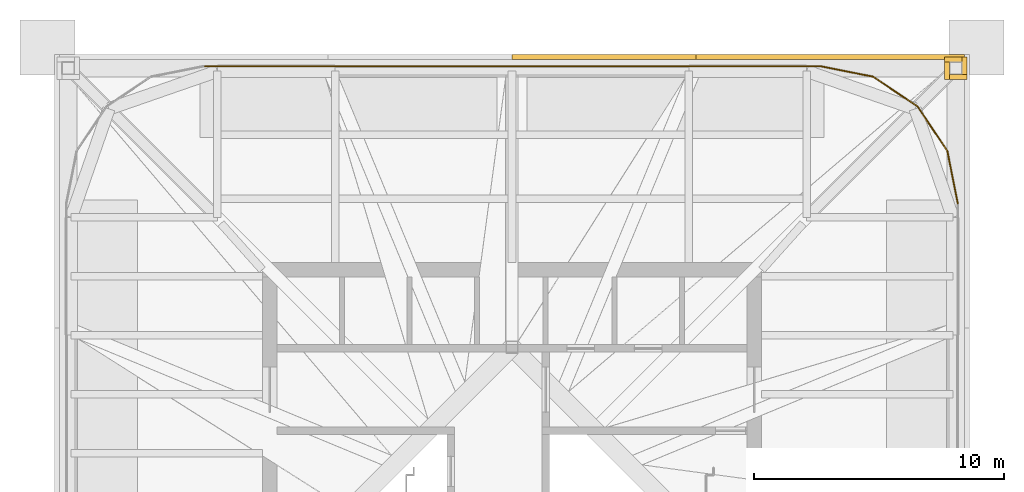
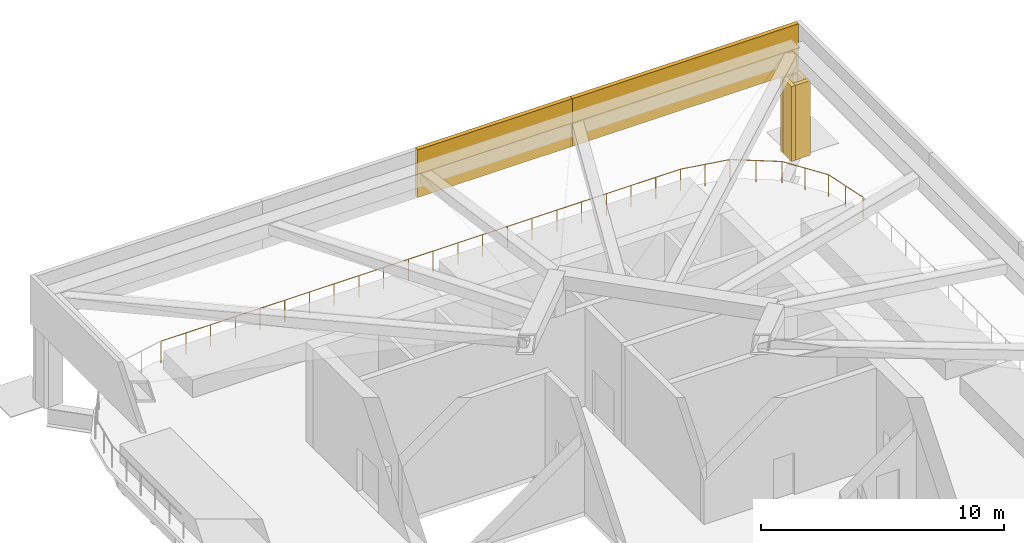
# One storey, part 6 of 7: 6 coverings, 5 railings.
"""IFC4 building model written with IfcOpenShell, lengths in metres."""

from ifc_helpers import new_model, si_unit, direction, frame, origin, origin_2d, place, context, subcontext, project, spatial, rectangle, circle, extrude, material, type_object, element, save


model = new_model("IFC4")

# Units and contexts
model_context = context("Model", 3, precision=1e-05, world=origin(), true_north=direction((0.0, 1.0)))
body_context = subcontext(model_context, "Body", "Model", "MODEL_VIEW")
ifc_project = project(units=[si_unit("LENGTHUNIT", "METRE"), si_unit("AREAUNIT", "SQUARE_METRE"), si_unit("VOLUMEUNIT", "CUBIC_METRE"), si_unit("PLANEANGLEUNIT", "RADIAN"), si_unit("MASSUNIT", "GRAM", prefix="KILO")], contexts=[model_context])

# Site, building, storey
site_placement = place(None, origin())
site = spatial("IfcSite", under=ifc_project, at=site_placement, CompositionType="ELEMENT")
building_placement = place(site_placement, origin())
building = spatial("IfcBuilding", under=site, at=building_placement, Name="Turquesa Mirador Hotel Tower", CompositionType="ELEMENT")
storey_placement = place(building_placement, frame((0.0, 0.0, 272.199951171875)))
storey = spatial("IfcBuildingStorey", under=building, at=storey_placement, Name="RF", CompositionType="ELEMENT", Elevation=272.199951171875)

# Coverings
ifc_material_1 = material(Name="Glazed ceramic tile on aluminium carrier", Category="aluminium")
covering_type_1 = type_object("IfcCoveringType", Name="CROWN FASCIA 2400 GLAZED CERAMIC TILE", PredefinedType="CLADDING", material=ifc_material_1)
covering_1_placement = place(storey_placement, frame((58.68017578125, 63.219970703125, 3.800048828125), z_axis=(0.0, 0.0, 1.0), x_axis=(1.0, 0.0, 0.0)))
element("IfcCovering", 1, at=covering_1_placement, inside=storey, type_object=covering_type_1, Name="Crown fascia N3", PredefinedType="CLADDING", context=body_context, shape_type="SweptSolid", body=[
    extrude(rectangle(XDim=7.360595703125, YDim=0.199951171875, at=origin_2d()), origin(), (0.0, 0.0, 1.0), 2.39990234375),
])
covering_2_placement = place(storey_placement, frame((67.740234375, 63.219970703125, 3.800048828125), z_axis=(0.0, 0.0, 1.0), x_axis=(1.0, 0.0, 0.0)))
element("IfcCovering", 2, at=covering_2_placement, inside=storey, type_object=covering_type_1, Name="Crown fascia N4", PredefinedType="CLADDING", context=body_context, shape_type="SweptSolid", body=[
    extrude(rectangle(XDim=10.759521484375, YDim=0.199951171875, at=origin_2d()), origin(), (0.0, 0.0, 1.0), 2.39990234375),
])

# Railings
ifc_material_2 = material(Name="Bronze-finish steel and laminated glass", Category="steel")
railing_type = type_object("IfcRailingType", Name="GUARD 1100 BRONZE AND GLASS", PredefinedType="GUARDRAIL", material=ifc_material_2)
railing_1_placement = place(storey_placement, frame((72.85009765625, 57.35009765625, 0.0)))
element("IfcRailing", 3, at=railing_1_placement, inside=storey, type_object=railing_type, Name="Sky garden guard", PredefinedType="GUARDRAIL", context=body_context, shape_type="SweptSolid", body=[
    extrude(circle(Radius=0.02392578125, at=origin_2d()), frame((0.0, 0.0, 1.076171875), z_axis=(-0.195109635434, 0.980781438528, 0.0), x_axis=(-0.980781438528, -0.195109635434, 0.0)), (0.0, 0.0, 1.0), 2.14599609375),
    extrude(circle(Radius=0.02099609375, at=origin_2d()), origin(), (0.0, 0.0, 1.0), 1.052001953125),
    extrude(circle(Radius=0.02099609375, at=origin_2d()), frame((-0.20947265625, 1.05224609375, 0.0)), (0.0, 0.0, 1.0), 1.052001953125),
    extrude(circle(Radius=0.02099609375, at=origin_2d()), frame((-0.418701171875, 2.104736328125, 0.0)), (0.0, 0.0, 1.0), 1.052001953125),
])
railing_2_placement = place(storey_placement, frame((72.431396484375, 59.454833984375, 0.0)))
element("IfcRailing", 4, at=railing_2_placement, inside=storey, type_object=railing_type, Name="Sky garden guard", PredefinedType="GUARDRAIL", context=body_context, shape_type="SweptSolid", body=[
    extrude(circle(Radius=0.02392578125, at=origin_2d()), frame((0.0, 0.0, 1.076171875), z_axis=(-0.555644991424, 0.831419655472, 0.0), x_axis=(-0.831419655472, -0.555644991424, 0.0)), (0.0, 0.0, 1.0), 2.14599609375),
    extrude(circle(Radius=0.02099609375, at=origin_2d()), origin(), (0.0, 0.0, 1.0), 1.052001953125),
    extrude(circle(Radius=0.02099609375, at=origin_2d()), frame((-0.59619140625, 0.89208984375, 0.0)), (0.0, 0.0, 1.0), 1.052001953125),
    extrude(circle(Radius=0.02099609375, at=origin_2d()), frame((-1.1923828125, 1.7841796875, 0.0)), (0.0, 0.0, 1.0), 1.052001953125),
])
railing_3_placement = place(storey_placement, frame((71.239013671875, 61.239013671875, 0.0)))
element("IfcRailing", 5, at=railing_3_placement, inside=storey, type_object=railing_type, Name="Sky garden guard", PredefinedType="GUARDRAIL", context=body_context, shape_type="SweptSolid", body=[
    extrude(circle(Radius=0.02392578125, at=origin_2d()), frame((0.0, 0.0, 1.076171875), z_axis=(-0.831419655472, 0.555644991424, 0.0), x_axis=(-0.555644991424, -0.831419655472, 0.0)), (0.0, 0.0, 1.0), 2.14599609375),
    extrude(circle(Radius=0.02099609375, at=origin_2d()), origin(), (0.0, 0.0, 1.0), 1.052001953125),
    extrude(circle(Radius=0.02099609375, at=origin_2d()), frame((-0.89208984375, 0.59619140625, 0.0)), (0.0, 0.0, 1.0), 1.052001953125),
    extrude(circle(Radius=0.02099609375, at=origin_2d()), frame((-1.7841796875, 1.1923828125, 0.0)), (0.0, 0.0, 1.0), 1.052001953125),
])
railing_4_placement = place(storey_placement, frame((69.454833984375, 62.431396484375, 0.0)))
element("IfcRailing", 6, at=railing_4_placement, inside=storey, type_object=railing_type, Name="Sky garden guard", PredefinedType="GUARDRAIL", context=body_context, shape_type="SweptSolid", body=[
    extrude(circle(Radius=0.02392578125, at=origin_2d()), frame((0.0, 0.0, 1.076171875), z_axis=(-0.980781438528, 0.195109635434, 0.0), x_axis=(-0.195109635434, -0.980781438528, 0.0)), (0.0, 0.0, 1.0), 2.14599609375),
    extrude(circle(Radius=0.02099609375, at=origin_2d()), origin(), (0.0, 0.0, 1.0), 1.052001953125),
    extrude(circle(Radius=0.02099609375, at=origin_2d()), frame((-1.05224609375, 0.20947265625, 0.0)), (0.0, 0.0, 1.0), 1.052001953125),
    extrude(circle(Radius=0.02099609375, at=origin_2d()), frame((-2.104736328125, 0.418701171875, 0.0)), (0.0, 0.0, 1.0), 1.052001953125),
])
railing_5_placement = place(storey_placement, frame((67.35009765625, 62.85009765625, 0.0)))
element("IfcRailing", 7, at=railing_5_placement, inside=storey, type_object=railing_type, Name="Sky garden guard", PredefinedType="GUARDRAIL", context=body_context, shape_type="SweptSolid", body=[
    extrude(circle(Radius=0.02392578125, at=origin_2d()), frame((0.0, 0.0, 1.076171875), z_axis=(-1.0, 0.0, 0.0), x_axis=(0.0, -1.0, 0.0)), (0.0, 0.0, 1.0), 24.7001953125),
    extrude(circle(Radius=0.02099609375, at=origin_2d()), origin(), (0.0, 0.0, 1.0), 1.052001953125),
    extrude(circle(Radius=0.02099609375, at=origin_2d()), frame((-1.17626953125, 0.0, 0.0)), (0.0, 0.0, 1.0), 1.052001953125),
    extrude(circle(Radius=0.02099609375, at=origin_2d()), frame((-2.352294921875, 0.0, 0.0)), (0.0, 0.0, 1.0), 1.052001953125),
    extrude(circle(Radius=0.02099609375, at=origin_2d()), frame((-3.528564453125, 0.0, 0.0)), (0.0, 0.0, 1.0), 1.052001953125),
    extrude(circle(Radius=0.02099609375, at=origin_2d()), frame((-4.704833984375, 0.0, 0.0)), (0.0, 0.0, 1.0), 1.052001953125),
    extrude(circle(Radius=0.02099609375, at=origin_2d()), frame((-5.881103515625, 0.0, 0.0)), (0.0, 0.0, 1.0), 1.052001953125),
    extrude(circle(Radius=0.02099609375, at=origin_2d()), frame((-7.05712890625, 0.0, 0.0)), (0.0, 0.0, 1.0), 1.052001953125),
    extrude(circle(Radius=0.02099609375, at=origin_2d()), frame((-8.2333984375, 0.0, 0.0)), (0.0, 0.0, 1.0), 1.052001953125),
    extrude(circle(Radius=0.02099609375, at=origin_2d()), frame((-9.40966796875, 0.0, 0.0)), (0.0, 0.0, 1.0), 1.052001953125),
    extrude(circle(Radius=0.02099609375, at=origin_2d()), frame((-10.585693359375, 0.0, 0.0)), (0.0, 0.0, 1.0), 1.052001953125),
    extrude(circle(Radius=0.02099609375, at=origin_2d()), frame((-11.761962890625, 0.0, 0.0)), (0.0, 0.0, 1.0), 1.052001953125),
    extrude(circle(Radius=0.02099609375, at=origin_2d()), frame((-12.938232421875, 0.0, 0.0)), (0.0, 0.0, 1.0), 1.052001953125),
    extrude(circle(Radius=0.02099609375, at=origin_2d()), frame((-14.114501953125, 0.0, 0.0)), (0.0, 0.0, 1.0), 1.052001953125),
    extrude(circle(Radius=0.02099609375, at=origin_2d()), frame((-15.29052734375, 0.0, 0.0)), (0.0, 0.0, 1.0), 1.052001953125),
    extrude(circle(Radius=0.02099609375, at=origin_2d()), frame((-16.466796875, 0.0, 0.0)), (0.0, 0.0, 1.0), 1.052001953125),
    extrude(circle(Radius=0.02099609375, at=origin_2d()), frame((-17.64306640625, 0.0, 0.0)), (0.0, 0.0, 1.0), 1.052001953125),
    extrude(circle(Radius=0.02099609375, at=origin_2d()), frame((-18.819091796875, 0.0, 0.0)), (0.0, 0.0, 1.0), 1.052001953125),
    extrude(circle(Radius=0.02099609375, at=origin_2d()), frame((-19.995361328125, 0.0, 0.0)), (0.0, 0.0, 1.0), 1.052001953125),
    extrude(circle(Radius=0.02099609375, at=origin_2d()), frame((-21.171630859375, 0.0, 0.0)), (0.0, 0.0, 1.0), 1.052001953125),
    extrude(circle(Radius=0.02099609375, at=origin_2d()), frame((-22.347900390625, 0.0, 0.0)), (0.0, 0.0, 1.0), 1.052001953125),
    extrude(circle(Radius=0.02099609375, at=origin_2d()), frame((-23.52392578125, 0.0, 0.0)), (0.0, 0.0, 1.0), 1.052001953125),
    extrude(circle(Radius=0.02099609375, at=origin_2d()), frame((-24.7001953125, 0.0, 0.0)), (0.0, 0.0, 1.0), 1.052001953125),
])

# Coverings
ifc_material_3 = material(Name="Glazed ceramic tile on aluminium carrier", Category="aluminium")
covering_type_2 = type_object("IfcCoveringType", Name="POST CASING 900 GLAZED CERAMIC TILE", PredefinedType="CLADDING", material=ifc_material_3)
covering_3_placement = place(storey_placement, frame((73.1201171875, 62.8701171875, 0.0400390625), z_axis=(0.0, 0.0, 1.0), x_axis=(1.0, 0.0, 0.0)))
element("IfcCovering", 8, at=covering_3_placement, inside=storey, type_object=covering_type_2, Name="Canopy post 1 casing E", PredefinedType="CLADDING", context=body_context, shape_type="SweptSolid", body=[
    extrude(rectangle(XDim=0.199951171875, YDim=0.699951171875, at=origin_2d()), origin(), (0.0, 0.0, 1.0), 3.760009765625),
])
covering_4_placement = place(storey_placement, frame((72.669921875, 63.1201171875, 0.0400390625), z_axis=(0.0, 0.0, 1.0), x_axis=(1.0, 0.0, 0.0)))
element("IfcCovering", 9, at=covering_4_placement, inside=storey, type_object=covering_type_2, Name="Canopy post 1 casing N", PredefinedType="CLADDING", context=body_context, shape_type="SweptSolid", body=[
    extrude(rectangle(XDim=0.699951171875, YDim=0.199951171875, at=origin_2d()), origin(), (0.0, 0.0, 1.0), 3.760009765625),
])
covering_5_placement = place(storey_placement, frame((72.419921875, 62.669921875, 0.0400390625), z_axis=(0.0, 0.0, 1.0), x_axis=(1.0, 0.0, 0.0)))
element("IfcCovering", 10, at=covering_5_placement, inside=storey, type_object=covering_type_2, Name="Canopy post 1 casing W", PredefinedType="CLADDING", context=body_context, shape_type="SweptSolid", body=[
    extrude(rectangle(XDim=0.199951171875, YDim=0.699951171875, at=origin_2d()), origin(), (0.0, 0.0, 1.0), 3.760009765625),
])
covering_6_placement = place(storey_placement, frame((72.8701171875, 62.419921875, 0.0400390625), z_axis=(0.0, 0.0, 1.0), x_axis=(1.0, 0.0, 0.0)))
element("IfcCovering", 11, at=covering_6_placement, inside=storey, type_object=covering_type_2, Name="Canopy post 1 casing S", PredefinedType="CLADDING", context=body_context, shape_type="SweptSolid", body=[
    extrude(rectangle(XDim=0.699951171875, YDim=0.199951171875, at=origin_2d()), origin(), (0.0, 0.0, 1.0), 3.760009765625),
])

save(model, "model.ifc")
